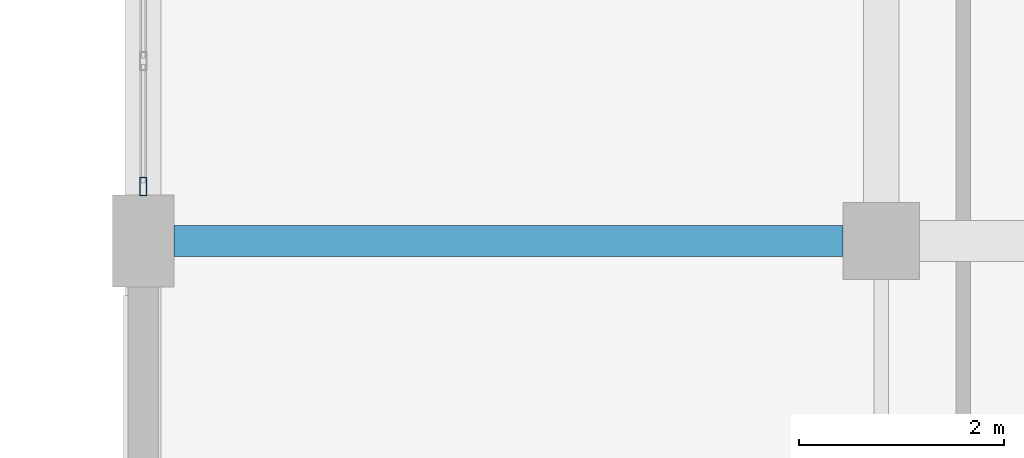
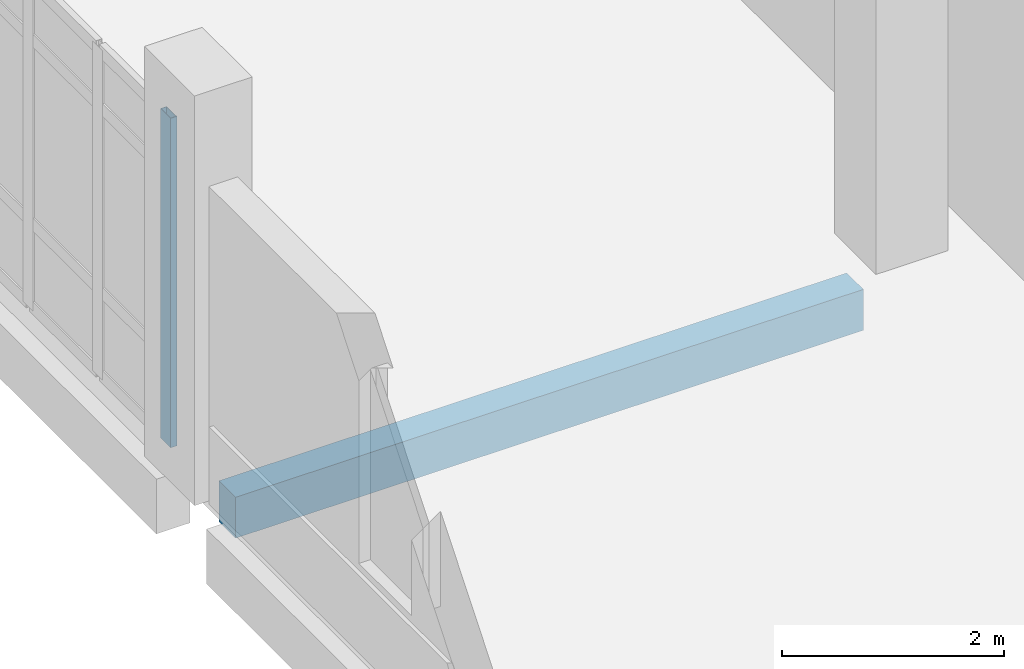
# One storey, part 11 of 134: 1 beam, 1 member, 1 element without a shape of its own.
"""IFC4 building model written with IfcOpenShell, lengths in metres."""

from ifc_helpers import new_model, si_unit, direction, frame, origin, origin_2d, place, context, subcontext, project, spatial, rectangle, hollow_rectangle, extrude, material, material_profile, profile_set, type_object, element, aggregate, save


model = new_model("IFC4")

# Units and contexts
model_context = context("Model", 3, precision=1e-05, world=origin(), true_north=direction((0.0, 1.0)))
body_context = subcontext(model_context, "Body", "Model", "MODEL_VIEW")
ifc_project = project(units=[si_unit("LENGTHUNIT", "METRE"), si_unit("AREAUNIT", "SQUARE_METRE"), si_unit("VOLUMEUNIT", "CUBIC_METRE"), si_unit("PLANEANGLEUNIT", "RADIAN"), si_unit("MASSUNIT", "GRAM", prefix="KILO")], contexts=[model_context])

# Site, building, storey
site_placement = place(None, origin())
site = spatial("IfcSite", under=ifc_project, at=site_placement, CompositionType="ELEMENT")
building_placement = place(site_placement, origin())
building = spatial("IfcBuilding", under=site, at=building_placement, Name="Kalluvel Institute of Natural Sciences", CompositionType="ELEMENT")
storey_placement = place(building_placement, frame((0.0, 0.0, 5.39990234375)))
storey = spatial("IfcBuildingStorey", under=building, at=storey_placement, Name="L01", CompositionType="ELEMENT", Elevation=5.39990234375)

# Curtain wall, member
ifc_material_1 = material(Name="Aluminium AW-6063 T6", Category="aluminium")
curtain_wall_type = type_object("IfcCurtainWallType", Name="CW-DRY-45", PredefinedType="USERDEFINED", material=ifc_material_1)
curtain_wall_placement = place(storey_placement, origin())
curtain_wall = element("IfcCurtainWall", 1, at=curtain_wall_placement, inside=storey, type_object=curtain_wall_type, Name="L01 Gothic lancet curtain wall CWA-L01-X140-Y289", ObjectType="UNITISED LANCET FACADE", PredefinedType="USERDEFINED")
ifc_material_profile_1 = material_profile(ifc_material_1, hollow_rectangle(XDim=0.06494140625, YDim=0.179931640625, WallThickness=0.00439453125, at=origin_2d()), Name="CWM 65x180")
ifc_profile_set_1 = profile_set([ifc_material_profile_1], Name="Aluminium AW-6063 T6")
member_type = type_object("IfcMemberType", Name="CWM-65x180", PredefinedType="MULLION", material=ifc_profile_set_1)
member_placement = place(storey_placement, frame((14.0, 28.9326171875, 0.0), z_axis=(0.0, 0.0, 1.0), x_axis=(-1.0, 0.0, 0.0)))
member = element("IfcMember", 2, at=member_placement, type_object=member_type, Name="CW-03 mullion 1", PredefinedType="MULLION", context=body_context, shape_type="SweptSolid", body=[
    extrude(hollow_rectangle(XDim=0.06494140625, YDim=0.179931640625, WallThickness=0.00439453125, at=origin_2d()), origin(), (0.0, 0.0, 1.0), 3.6201171875),
])
aggregate(curtain_wall, [member])

# Beam
ifc_material_2 = material(Name="Concrete M40", Category="concrete")
ifc_material_profile_2 = material_profile(ifc_material_2, rectangle(XDim=0.300048828125, YDim=0.449951171875, at=origin_2d()), Name="RCB 300x450")
ifc_profile_set_2 = profile_set([ifc_material_profile_2], Name="Concrete M40")
beam_type = type_object("IfcBeamType", Name="SP-RC300x450", PredefinedType="SPANDREL", material=ifc_profile_set_2)
beam_placement = place(storey_placement, frame((14.300048828125, 28.39990234375, -0.52490234375), z_axis=(1.0, 0.0, 0.0), x_axis=(0.0, 1.0, 0.0)))
element("IfcBeam", 3, at=beam_placement, inside=storey, type_object=beam_type, Name="L01 girder GIR-L01-EW-X140-Y284", PredefinedType="SPANDREL", context=body_context, shape_type="SweptSolid", body=[
    extrude(rectangle(XDim=0.300048828125, YDim=0.449951171875, at=origin_2d()), origin(), (0.0, 0.0, 1.0), 6.52490234375),
])

save(model, "model.ifc")
